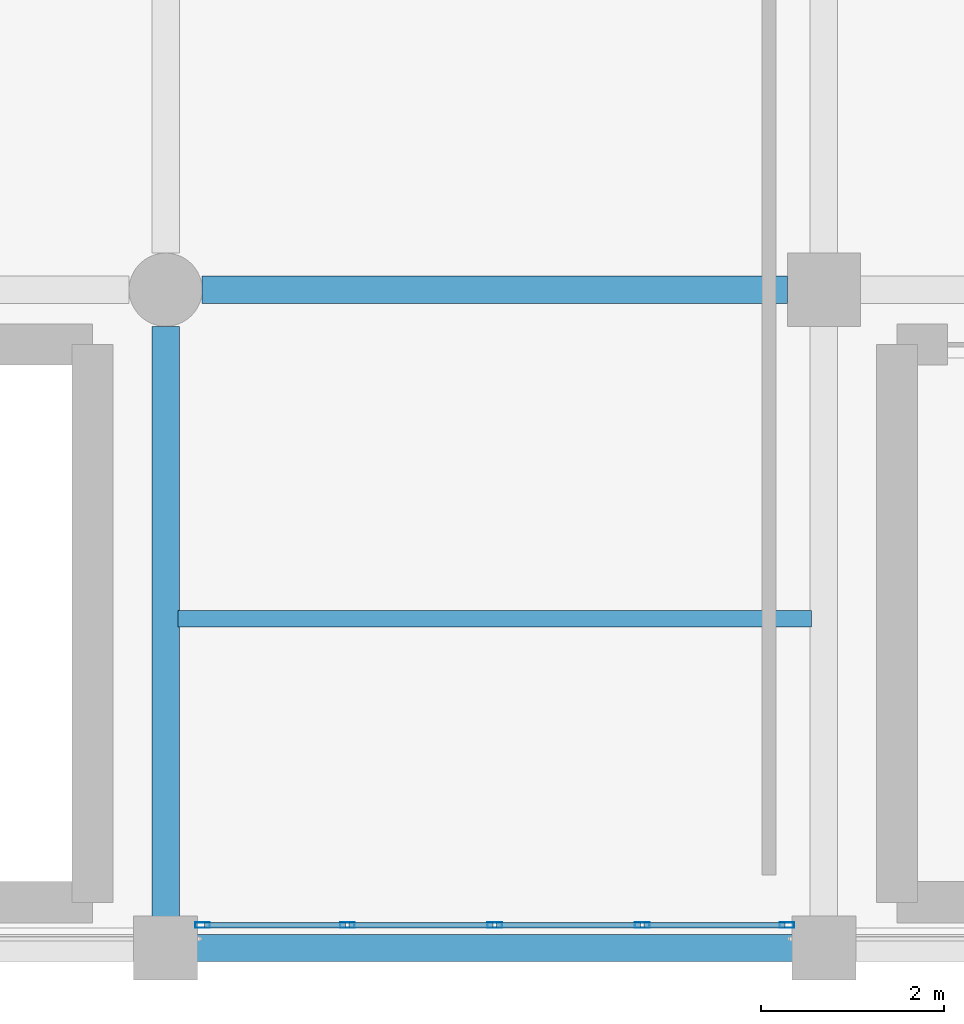
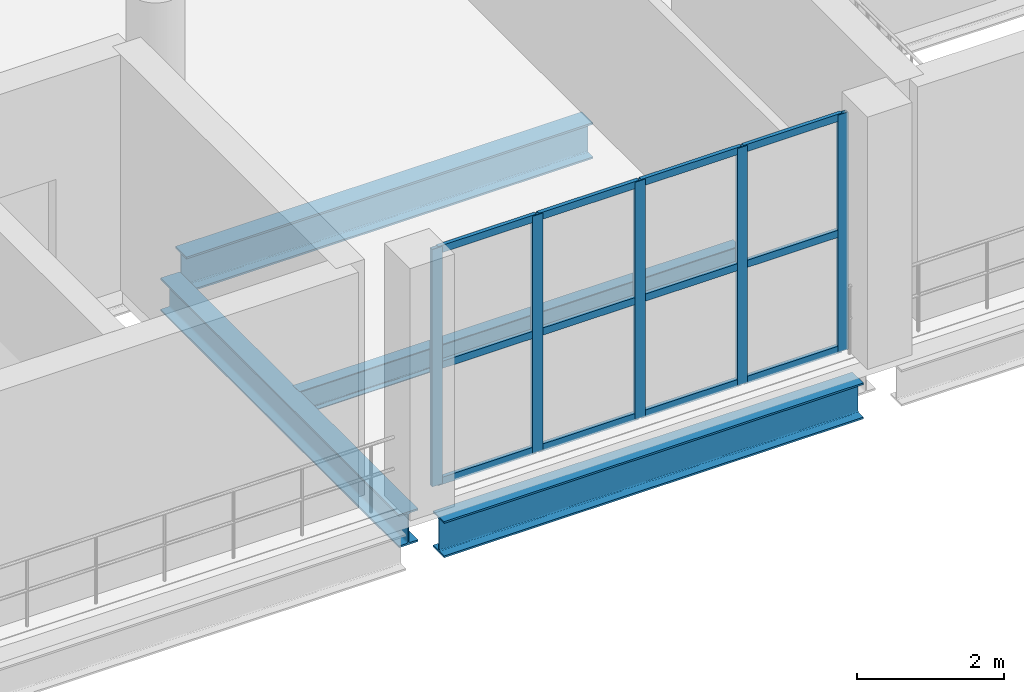
# One storey, part 25 of 153: 17 members, 4 beams, 1 element without a shape of its own.
"""IFC4 building model written with IfcOpenShell, lengths in metres."""

from ifc_helpers import new_model, si_unit, direction, frame, origin, origin_2d, place, context, subcontext, project, spatial, hollow_rectangle, i_section, extrude, material, material_profile, profile_set, type_object, element, aggregate, save


model = new_model("IFC4")

# Units and contexts
model_context = context("Model", 3, precision=1e-05, world=origin(), true_north=direction((0.0, 1.0)))
body_context = subcontext(model_context, "Body", "Model", "MODEL_VIEW")
ifc_project = project(units=[si_unit("LENGTHUNIT", "METRE"), si_unit("AREAUNIT", "SQUARE_METRE"), si_unit("VOLUMEUNIT", "CUBIC_METRE"), si_unit("PLANEANGLEUNIT", "RADIAN"), si_unit("MASSUNIT", "GRAM", prefix="KILO")], contexts=[model_context])

# Site, building, storey
site_placement = place(None, origin())
site = spatial("IfcSite", under=ifc_project, at=site_placement, CompositionType="ELEMENT")
building_placement = place(site_placement, origin())
building = spatial("IfcBuilding", under=site, at=building_placement, Name="Qandorah Velis Arena", CompositionType="ELEMENT")
storey_placement = place(building_placement, frame((0.0, 0.0, 5.39990234375)))
storey = spatial("IfcBuildingStorey", under=building, at=storey_placement, Name="L01", CompositionType="ELEMENT", Elevation=5.39990234375)

# Curtain wall, members
ifc_material_1 = material(Name="Solar-control low-E double glazing", Category="glass")
curtain_wall_type = type_object("IfcCurtainWallType", Name="ARC-CW-SYS11", PredefinedType="USERDEFINED", material=ifc_material_1)
curtain_wall_placement = place(storey_placement, origin())
curtain_wall = element("IfcCurtainWall", 1, at=curtain_wall_placement, inside=storey, type_object=curtain_wall_type, Name="Unitised curtain wall L01-059", ObjectType="UNITISED CURTAIN WALL", PredefinedType="USERDEFINED")
ifc_material_2 = material(Name="Champagne-bronze anodized aluminium 6063-T6", Category="aluminium")
ifc_material_profile_1 = material_profile(ifc_material_2, hollow_rectangle(XDim=0.06005859375, YDim=0.159912109375, WallThickness=0.00341796875, at=origin_2d()), Name="ALU MULLION 60x160")
ifc_profile_set_1 = profile_set([ifc_material_profile_1], Name="Champagne-bronze anodized aluminium 6063-T6")
member_type_1 = type_object("IfcMemberType", Name="ARC-CWM-160", PredefinedType="MULLION", material=ifc_profile_set_1)
member_1_placement = place(storey_placement, frame((65.205078125, 0.25, -0.014892578125), z_axis=(0.0, 0.0, 1.0), x_axis=(0.0, 1.0, 0.0)))
member_1 = element("IfcMember", 2, at=member_1_placement, type_object=member_type_1, Name="CW11 mullion 1", PredefinedType="MULLION", context=body_context, shape_type="SweptSolid", body=[
    extrude(hollow_rectangle(XDim=0.06005859375, YDim=0.159912109375, WallThickness=0.00341796875, at=origin_2d()), origin(), (0.0, 0.0, 1.0), 3.949951171875),
])
member_2_placement = place(storey_placement, frame((66.78759765625, 0.25, -0.014892578125), z_axis=(0.0, 0.0, 1.0), x_axis=(0.0, 1.0, 0.0)))
member_2 = element("IfcMember", 3, at=member_2_placement, type_object=member_type_1, Name="CW11 mullion 2", PredefinedType="MULLION", context=body_context, shape_type="SweptSolid", body=[
    extrude(hollow_rectangle(XDim=0.06005859375, YDim=0.159912109375, WallThickness=0.00341796875, at=origin_2d()), origin(), (0.0, 0.0, 1.0), 3.949951171875),
])
member_3_placement = place(storey_placement, frame((68.39990234375, 0.25, -0.014892578125), z_axis=(0.0, 0.0, 1.0), x_axis=(0.0, 1.0, 0.0)))
member_3 = element("IfcMember", 4, at=member_3_placement, type_object=member_type_1, Name="CW11 mullion 3", PredefinedType="MULLION", context=body_context, shape_type="SweptSolid", body=[
    extrude(hollow_rectangle(XDim=0.06005859375, YDim=0.159912109375, WallThickness=0.00341796875, at=origin_2d()), origin(), (0.0, 0.0, 1.0), 3.949951171875),
])
member_4_placement = place(storey_placement, frame((70.012451171875, 0.25, -0.014892578125), z_axis=(0.0, 0.0, 1.0), x_axis=(0.0, 1.0, 0.0)))
member_4 = element("IfcMember", 5, at=member_4_placement, type_object=member_type_1, Name="CW11 mullion 4", PredefinedType="MULLION", context=body_context, shape_type="SweptSolid", body=[
    extrude(hollow_rectangle(XDim=0.06005859375, YDim=0.159912109375, WallThickness=0.00341796875, at=origin_2d()), origin(), (0.0, 0.0, 1.0), 3.949951171875),
])
member_5_placement = place(storey_placement, frame((71.594970703125, 0.25, -0.014892578125), z_axis=(0.0, 0.0, 1.0), x_axis=(0.0, 1.0, 0.0)))
member_5 = element("IfcMember", 6, at=member_5_placement, type_object=member_type_1, Name="CW11 mullion 5", PredefinedType="MULLION", context=body_context, shape_type="SweptSolid", body=[
    extrude(hollow_rectangle(XDim=0.06005859375, YDim=0.159912109375, WallThickness=0.00341796875, at=origin_2d()), origin(), (0.0, 0.0, 1.0), 3.949951171875),
])
ifc_material_profile_2 = material_profile(ifc_material_2, hollow_rectangle(XDim=0.06005859375, YDim=0.1201171875, WallThickness=0.0029296875, at=origin_2d()), Name="ALU TRANSOM 60x120")
ifc_profile_set_2 = profile_set([ifc_material_profile_2], Name="Champagne-bronze anodized aluminium 6063-T6")
member_type_2 = type_object("IfcMemberType", Name="ARC-CWT-120", PredefinedType="USERDEFINED", material=ifc_profile_set_2)
member_6_placement = place(storey_placement, frame((65.222900390625, 0.25, 0.030029296875), z_axis=(1.0, 0.0, 0.0), x_axis=(0.0, 1.0, 0.0)))
member_6 = element("IfcMember", 7, at=member_6_placement, type_object=member_type_2, Name="CW11 transom 1.1", ObjectType="TRANSOM", PredefinedType="USERDEFINED", context=body_context, shape_type="SweptSolid", body=[
    extrude(hollow_rectangle(XDim=0.06005859375, YDim=0.1201171875, WallThickness=0.0029296875, at=origin_2d()), origin(), (0.0, 0.0, 1.0), 1.546630859375),
])
member_7_placement = place(storey_placement, frame((65.222900390625, 0.25, 1.960205078125), z_axis=(1.0, 0.0, 0.0), x_axis=(0.0, 1.0, 0.0)))
member_7 = element("IfcMember", 8, at=member_7_placement, type_object=member_type_2, Name="CW11 transom 1.2", ObjectType="TRANSOM", PredefinedType="USERDEFINED", context=body_context, shape_type="SweptSolid", body=[
    extrude(hollow_rectangle(XDim=0.06005859375, YDim=0.1201171875, WallThickness=0.0029296875, at=origin_2d()), origin(), (0.0, 0.0, 1.0), 1.546630859375),
])
member_8_placement = place(storey_placement, frame((65.222900390625, 0.25, 3.89013671875), z_axis=(1.0, 0.0, 0.0), x_axis=(0.0, 1.0, 0.0)))
member_8 = element("IfcMember", 9, at=member_8_placement, type_object=member_type_2, Name="CW11 transom 1.3", ObjectType="TRANSOM", PredefinedType="USERDEFINED", context=body_context, shape_type="SweptSolid", body=[
    extrude(hollow_rectangle(XDim=0.06005859375, YDim=0.1201171875, WallThickness=0.0029296875, at=origin_2d()), origin(), (0.0, 0.0, 1.0), 1.546630859375),
])
member_9_placement = place(storey_placement, frame((66.805419921875, 0.25, 0.030029296875), z_axis=(1.0, 0.0, 0.0), x_axis=(0.0, 1.0, 0.0)))
member_9 = element("IfcMember", 10, at=member_9_placement, type_object=member_type_2, Name="CW11 transom 2.1", ObjectType="TRANSOM", PredefinedType="USERDEFINED", context=body_context, shape_type="SweptSolid", body=[
    extrude(hollow_rectangle(XDim=0.06005859375, YDim=0.1201171875, WallThickness=0.0029296875, at=origin_2d()), origin(), (0.0, 0.0, 1.0), 1.57666015625),
])
member_10_placement = place(storey_placement, frame((66.805419921875, 0.25, 1.960205078125), z_axis=(1.0, 0.0, 0.0), x_axis=(0.0, 1.0, 0.0)))
member_10 = element("IfcMember", 11, at=member_10_placement, type_object=member_type_2, Name="CW11 transom 2.2", ObjectType="TRANSOM", PredefinedType="USERDEFINED", context=body_context, shape_type="SweptSolid", body=[
    extrude(hollow_rectangle(XDim=0.06005859375, YDim=0.1201171875, WallThickness=0.0029296875, at=origin_2d()), origin(), (0.0, 0.0, 1.0), 1.57666015625),
])
member_11_placement = place(storey_placement, frame((66.805419921875, 0.25, 3.89013671875), z_axis=(1.0, 0.0, 0.0), x_axis=(0.0, 1.0, 0.0)))
member_11 = element("IfcMember", 12, at=member_11_placement, type_object=member_type_2, Name="CW11 transom 2.3", ObjectType="TRANSOM", PredefinedType="USERDEFINED", context=body_context, shape_type="SweptSolid", body=[
    extrude(hollow_rectangle(XDim=0.06005859375, YDim=0.1201171875, WallThickness=0.0029296875, at=origin_2d()), origin(), (0.0, 0.0, 1.0), 1.57666015625),
])
member_12_placement = place(storey_placement, frame((68.41796875, 0.25, 0.030029296875), z_axis=(1.0, 0.0, 0.0), x_axis=(0.0, 1.0, 0.0)))
member_12 = element("IfcMember", 13, at=member_12_placement, type_object=member_type_2, Name="CW11 transom 3.1", ObjectType="TRANSOM", PredefinedType="USERDEFINED", context=body_context, shape_type="SweptSolid", body=[
    extrude(hollow_rectangle(XDim=0.06005859375, YDim=0.1201171875, WallThickness=0.0029296875, at=origin_2d()), origin(), (0.0, 0.0, 1.0), 1.576416015625),
])
member_13_placement = place(storey_placement, frame((68.41796875, 0.25, 1.960205078125), z_axis=(1.0, 0.0, 0.0), x_axis=(0.0, 1.0, 0.0)))
member_13 = element("IfcMember", 14, at=member_13_placement, type_object=member_type_2, Name="CW11 transom 3.2", ObjectType="TRANSOM", PredefinedType="USERDEFINED", context=body_context, shape_type="SweptSolid", body=[
    extrude(hollow_rectangle(XDim=0.06005859375, YDim=0.1201171875, WallThickness=0.0029296875, at=origin_2d()), origin(), (0.0, 0.0, 1.0), 1.576416015625),
])
member_14_placement = place(storey_placement, frame((68.41796875, 0.25, 3.89013671875), z_axis=(1.0, 0.0, 0.0), x_axis=(0.0, 1.0, 0.0)))
member_14 = element("IfcMember", 15, at=member_14_placement, type_object=member_type_2, Name="CW11 transom 3.3", ObjectType="TRANSOM", PredefinedType="USERDEFINED", context=body_context, shape_type="SweptSolid", body=[
    extrude(hollow_rectangle(XDim=0.06005859375, YDim=0.1201171875, WallThickness=0.0029296875, at=origin_2d()), origin(), (0.0, 0.0, 1.0), 1.576416015625),
])
member_15_placement = place(storey_placement, frame((70.030517578125, 0.25, 0.030029296875), z_axis=(1.0, 0.0, 0.0), x_axis=(0.0, 1.0, 0.0)))
member_15 = element("IfcMember", 16, at=member_15_placement, type_object=member_type_2, Name="CW11 transom 4.1", ObjectType="TRANSOM", PredefinedType="USERDEFINED", context=body_context, shape_type="SweptSolid", body=[
    extrude(hollow_rectangle(XDim=0.06005859375, YDim=0.1201171875, WallThickness=0.0029296875, at=origin_2d()), origin(), (0.0, 0.0, 1.0), 1.54638671875),
])
member_16_placement = place(storey_placement, frame((70.030517578125, 0.25, 1.960205078125), z_axis=(1.0, 0.0, 0.0), x_axis=(0.0, 1.0, 0.0)))
member_16 = element("IfcMember", 17, at=member_16_placement, type_object=member_type_2, Name="CW11 transom 4.2", ObjectType="TRANSOM", PredefinedType="USERDEFINED", context=body_context, shape_type="SweptSolid", body=[
    extrude(hollow_rectangle(XDim=0.06005859375, YDim=0.1201171875, WallThickness=0.0029296875, at=origin_2d()), origin(), (0.0, 0.0, 1.0), 1.54638671875),
])
member_17_placement = place(storey_placement, frame((70.030517578125, 0.25, 3.89013671875), z_axis=(1.0, 0.0, 0.0), x_axis=(0.0, 1.0, 0.0)))
member_17 = element("IfcMember", 18, at=member_17_placement, type_object=member_type_2, Name="CW11 transom 4.3", ObjectType="TRANSOM", PredefinedType="USERDEFINED", context=body_context, shape_type="SweptSolid", body=[
    extrude(hollow_rectangle(XDim=0.06005859375, YDim=0.1201171875, WallThickness=0.0029296875, at=origin_2d()), origin(), (0.0, 0.0, 1.0), 1.54638671875),
])
aggregate(curtain_wall, [member_1, member_2, member_3, member_4, member_5, member_6, member_7, member_8, member_9, member_10, member_11, member_12, member_13, member_14, member_15, member_16, member_17])

# Beams
ifc_material_3 = material(Name="Steel S355", Category="steel")
ifc_material_profile_3 = material_profile(ifc_material_3, i_section(OverallWidth=0.300048828125, OverallDepth=0.550048828125, WebThickness=0.014892578125, FlangeThickness=0.029052734375, FilletRadius=0.027099609375, at=origin_2d()), Name="HEB 550")
ifc_profile_set_3 = profile_set([ifc_material_profile_3], Name="Steel S355")
beam_type_1 = type_object("IfcBeamType", Name="STR-BM-HEB550", PredefinedType="BEAM", material=ifc_profile_set_3)
beam_1_placement = place(storey_placement, frame((64.800048828125, 0.300048828125, -0.635009765625), z_axis=(0.0, 1.0, 0.0), x_axis=(-1.0, 0.0, 0.0)))
element("IfcBeam", 19, at=beam_1_placement, inside=storey, type_object=beam_type_1, Name="Primary floor girder L01 Y-322", PredefinedType="BEAM", context=body_context, shape_type="SweptSolid", body=[
    extrude(i_section(OverallWidth=0.300048828125, OverallDepth=0.550048828125, WebThickness=0.014892578125, FlangeThickness=0.029052734375, FilletRadius=0.027099609375, at=origin_2d()), origin(), (0.0, 0.0, 1.0), 6.5),
])
ifc_material_profile_4 = material_profile(ifc_material_3, i_section(OverallWidth=0.300048828125, OverallDepth=0.60009765625, WebThickness=0.015380859375, FlangeThickness=0.030029296875, FilletRadius=0.027099609375, at=origin_2d()), Name="HEB 600")
ifc_profile_set_4 = profile_set([ifc_material_profile_4], Name="Steel S355")
beam_type_2 = type_object("IfcBeamType", Name="STR-BM-HEB600", PredefinedType="BEAM", material=ifc_profile_set_4)
beam_2_placement = place(storey_placement, frame((65.10009765625, 0.0, -0.659912109375), z_axis=(1.0, 0.0, 0.0), x_axis=(0.0, 1.0, 0.0)))
element("IfcBeam", 20, at=beam_2_placement, inside=storey, type_object=beam_type_2, Name="Primary floor girder L01 X-010", PredefinedType="BEAM", context=body_context, shape_type="SweptSolid", body=[
    extrude(i_section(OverallWidth=0.300048828125, OverallDepth=0.60009765625, WebThickness=0.015380859375, FlangeThickness=0.030029296875, FilletRadius=0.027099609375, at=origin_2d()), origin(), (0.0, 0.0, 1.0), 6.599853515625),
])
beam_3_placement = place(storey_placement, frame((65.199951171875, 7.199951171875, -0.659912109375), z_axis=(1.0, 0.0, 0.0), x_axis=(0.0, 1.0, 0.0)))
element("IfcBeam", 21, at=beam_3_placement, inside=storey, type_object=beam_type_2, Name="Primary floor girder L01 X-026", PredefinedType="BEAM", context=body_context, shape_type="SweptSolid", body=[
    extrude(i_section(OverallWidth=0.300048828125, OverallDepth=0.60009765625, WebThickness=0.015380859375, FlangeThickness=0.030029296875, FilletRadius=0.027099609375, at=origin_2d()), origin(), (0.0, 0.0, 1.0), 6.400146484375),
])
ifc_material_profile_5 = material_profile(ifc_material_3, i_section(OverallWidth=0.179931640625, OverallDepth=0.39990234375, WebThickness=0.008544921875, FlangeThickness=0.013427734375, FilletRadius=0.02099609375, at=origin_2d()), Name="IPE 400")
ifc_profile_set_5 = profile_set([ifc_material_profile_5], Name="Steel S355")
beam_type_3 = type_object("IfcBeamType", Name="STR-JST-IPE400", PredefinedType="JOIST", material=ifc_profile_set_5)
beam_4_placement = place(storey_placement, frame((64.93505859375, 3.60009765625, -0.559814453125), z_axis=(1.0, 0.0, 0.0), x_axis=(0.0, 1.0, 0.0)))
element("IfcBeam", 22, at=beam_4_placement, inside=storey, type_object=beam_type_3, Name="Secondary floor joist L01-083", PredefinedType="JOIST", context=body_context, shape_type="SweptSolid", body=[
    extrude(i_section(OverallWidth=0.179931640625, OverallDepth=0.39990234375, WebThickness=0.008544921875, FlangeThickness=0.013427734375, FilletRadius=0.02099609375, at=origin_2d()), origin(), (0.0, 0.0, 1.0), 6.929931640625),
])

save(model, "model.ifc")
